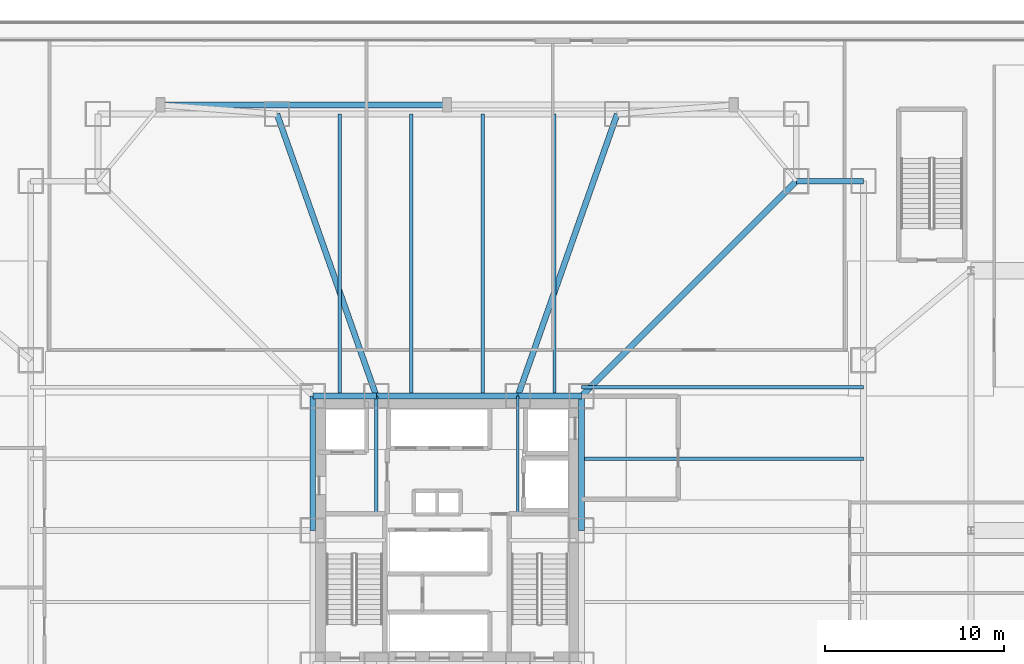
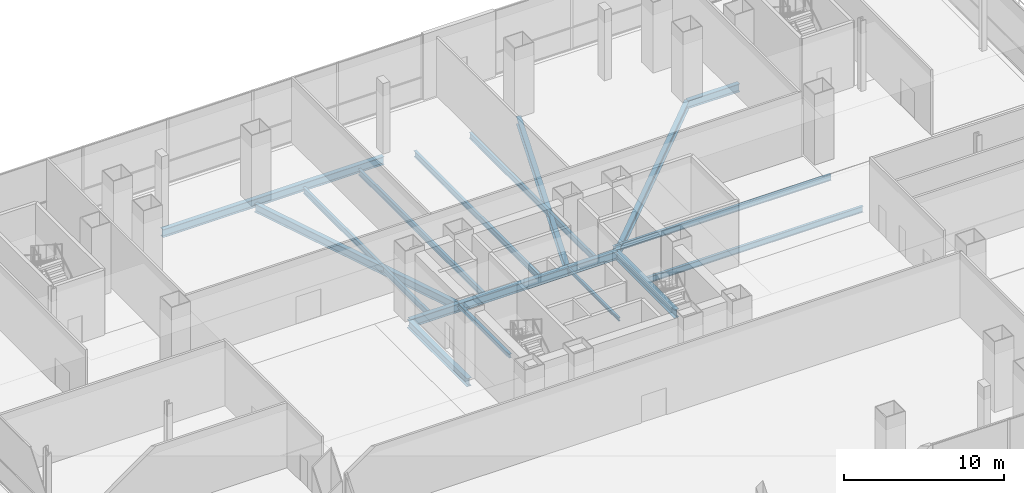
# One storey, part 14 of 36: 18 beams.
"""IFC4 building model written with IfcOpenShell, lengths in metres."""

from ifc_helpers import new_model, si_unit, direction, frame, origin, origin_2d, place, context, subcontext, project, spatial, i_section, extrude, material, material_profile, profile_set, type_object, element, save


model = new_model("IFC4")

# Units and contexts
model_context = context("Model", 3, precision=1e-05, world=origin(), true_north=direction((0.0, 1.0)))
body_context = subcontext(model_context, "Body", "Model", "MODEL_VIEW")
ifc_project = project(units=[si_unit("LENGTHUNIT", "METRE"), si_unit("AREAUNIT", "SQUARE_METRE"), si_unit("VOLUMEUNIT", "CUBIC_METRE"), si_unit("PLANEANGLEUNIT", "RADIAN"), si_unit("MASSUNIT", "GRAM", prefix="KILO")], contexts=[model_context])

# Site, building, storey
site_placement = place(None, origin())
site = spatial("IfcSite", under=ifc_project, at=site_placement, CompositionType="ELEMENT")
building_placement = place(site_placement, origin())
building = spatial("IfcBuilding", under=site, at=building_placement, Name="Trevonay Congress Spire", CompositionType="ELEMENT")
storey_placement = place(building_placement, frame((0.0, 0.0, 5.39990234375)))
storey = spatial("IfcBuildingStorey", under=building, at=storey_placement, Name="L01", CompositionType="ELEMENT", Elevation=5.39990234375)

# Beams
ifc_material = material(Name="Steel ASTM A572 Grade 50", Category="steel")
ifc_material_profile_1 = material_profile(ifc_material, i_section(OverallWidth=0.324951171875, OverallDepth=0.615966796875, WebThickness=0.013916015625, FlangeThickness=0.021484375, FilletRadius=0.01806640625, at=origin_2d()), Name="W610x174")
ifc_profile_set_1 = profile_set([ifc_material_profile_1], Name="Steel ASTM A572 Grade 50")
beam_type_1 = type_object("IfcBeamType", Name="BM-GIRD-W610X174", PredefinedType="BEAM", material=ifc_profile_set_1)
beam_1_placement = place(storey_placement, frame((23.25, 19.5, -0.7080078125), z_axis=(-1.0, 0.0, 0.0), x_axis=(0.0, -1.0, 0.0)))
element("IfcBeam", 1, at=beam_1_placement, inside=storey, type_object=beam_type_1, Name="L01 structural beam BM-L01-CEN", PredefinedType="BEAM", context=body_context, shape_type="SweptSolid", body=[
    extrude(i_section(OverallWidth=0.324951171875, OverallDepth=0.615966796875, WebThickness=0.013916015625, FlangeThickness=0.021484375, FilletRadius=0.01806640625, at=origin_2d()), origin(), (0.0, 0.0, 1.0), 3.75),
])
beam_2_placement = place(storey_placement, frame((7.5, 7.5, -0.7080078125), z_axis=(0.707106781187, 0.707106781187, 0.0), x_axis=(-0.707106781187, 0.707106781187, 0.0)))
element("IfcBeam", 2, at=beam_2_placement, inside=storey, type_object=beam_type_1, Name="L01 structural beam BM-L01-RAD-NE", PredefinedType="BEAM", context=body_context, shape_type="SweptSolid", body=[
    extrude(i_section(OverallWidth=0.324951171875, OverallDepth=0.615966796875, WebThickness=0.013916015625, FlangeThickness=0.021484375, FilletRadius=0.01806640625, at=origin_2d()), origin(), (0.0, 0.0, 1.0), 16.970458984375),
])
for number, where, z_axis, x_axis, name in (
    (3, (-3.949951171875, 7.5, -0.7080078125), (-0.332352826786, 0.943155129619, 0.0), (-0.943155129619, -0.332352826786, 0.0), "L01 structural beam BM-L01-RAD-N1"),
    (4, (3.949951171875, 7.5, -0.7080078125), (0.332352826786, 0.943155129619, 0.0), (-0.943155129619, 0.332352826786, 0.0), "L01 structural beam BM-L01-RAD-N2"),
):
    element("IfcBeam", number, at=place(storey_placement, frame(where, z_axis=z_axis, x_axis=x_axis)), inside=storey, type_object=beam_type_1, Name=name, PredefinedType="BEAM", context=body_context, shape_type="SweptSolid", body=[
        extrude(i_section(OverallWidth=0.324951171875, OverallDepth=0.615966796875, WebThickness=0.013916015625, FlangeThickness=0.021484375, FilletRadius=0.01806640625, at=origin_2d()), origin(), (0.0, 0.0, 1.0), 16.69921875),
    ])
beam_3_placement = place(storey_placement, frame((-16.0, 23.75, -0.7080078125), z_axis=(1.0, 0.0, 0.0), x_axis=(0.0, 1.0, 0.0)))
element("IfcBeam", 5, at=beam_3_placement, inside=storey, type_object=beam_type_1, Name="L01 structural beam BM-L01-PIL-N1", PredefinedType="BEAM", context=body_context, shape_type="SweptSolid", body=[
    extrude(i_section(OverallWidth=0.324951171875, OverallDepth=0.615966796875, WebThickness=0.013916015625, FlangeThickness=0.021484375, FilletRadius=0.01806640625, at=origin_2d()), origin(), (0.0, 0.0, 1.0), 16.0),
])
ifc_material_profile_2 = material_profile(ifc_material, i_section(OverallWidth=0.3291015625, OverallDepth=0.635009765625, WebThickness=0.017822265625, FlangeThickness=0.031005859375, FilletRadius=0.01806640625, at=origin_2d()), Name="W610x241")
ifc_profile_set_2 = profile_set([ifc_material_profile_2], Name="Steel ASTM A572 Grade 50")
beam_type_2 = type_object("IfcBeamType", Name="BM-GIRD-W610X241", PredefinedType="BEAM", material=ifc_profile_set_2)
beam_4_placement = place(storey_placement, frame((-7.5, 7.5, -0.71728515625), z_axis=(1.0, 0.0, 0.0), x_axis=(0.0, 1.0, 0.0)))
element("IfcBeam", 6, at=beam_4_placement, inside=storey, type_object=beam_type_2, Name="L01 structural beam BM-L01-CR-N1", PredefinedType="BEAM", context=body_context, shape_type="SweptSolid", body=[
    extrude(i_section(OverallWidth=0.3291015625, OverallDepth=0.635009765625, WebThickness=0.017822265625, FlangeThickness=0.031005859375, FilletRadius=0.01806640625, at=origin_2d()), origin(), (0.0, 0.0, 1.0), 3.550048828125),
])
beam_5_placement = place(storey_placement, frame((-3.949951171875, 7.5, -0.71728515625), z_axis=(1.0, 0.0, 0.0), x_axis=(0.0, 1.0, 0.0)))
element("IfcBeam", 7, at=beam_5_placement, inside=storey, type_object=beam_type_2, Name="L01 structural beam BM-L01-CR-N2", PredefinedType="BEAM", context=body_context, shape_type="SweptSolid", body=[
    extrude(i_section(OverallWidth=0.3291015625, OverallDepth=0.635009765625, WebThickness=0.017822265625, FlangeThickness=0.031005859375, FilletRadius=0.01806640625, at=origin_2d()), origin(), (0.0, 0.0, 1.0), 7.89990234375),
])
beam_6_placement = place(storey_placement, frame((3.949951171875, 7.5, -0.71728515625), z_axis=(1.0, 0.0, 0.0), x_axis=(0.0, 1.0, 0.0)))
element("IfcBeam", 8, at=beam_6_placement, inside=storey, type_object=beam_type_2, Name="L01 structural beam BM-L01-CR-N3", PredefinedType="BEAM", context=body_context, shape_type="SweptSolid", body=[
    extrude(i_section(OverallWidth=0.3291015625, OverallDepth=0.635009765625, WebThickness=0.017822265625, FlangeThickness=0.031005859375, FilletRadius=0.01806640625, at=origin_2d()), origin(), (0.0, 0.0, 1.0), 3.550048828125),
])
for number, where, z_axis, x_axis, name in (
    (9, (-7.5, 0.0, -0.71728515625), (0.0, 1.0, 0.0), (-1.0, 0.0, 0.0), "L01 structural beam BM-L01-CR-W2"),
    (10, (7.5, 0.0, -0.71728515625), (0.0, 1.0, 0.0), (-1.0, 0.0, 0.0), "L01 structural beam BM-L01-CR-E2"),
):
    element("IfcBeam", number, at=place(storey_placement, frame(where, z_axis=z_axis, x_axis=x_axis)), inside=storey, type_object=beam_type_2, Name=name, PredefinedType="BEAM", context=body_context, shape_type="SweptSolid", body=[
        extrude(i_section(OverallWidth=0.3291015625, OverallDepth=0.635009765625, WebThickness=0.017822265625, FlangeThickness=0.031005859375, FilletRadius=0.01806640625, at=origin_2d()), origin(), (0.0, 0.0, 1.0), 7.5),
    ])
ifc_material_profile_3 = material_profile(ifc_material, i_section(OverallWidth=0.18994140625, OverallDepth=0.45703125, WebThickness=0.009033203125, FlangeThickness=0.014404296875, FilletRadius=0.013916015625, at=origin_2d()), Name="W460x74")
ifc_profile_set_3 = profile_set([ifc_material_profile_3], Name="Steel ASTM A572 Grade 50")
beam_type_3 = type_object("IfcBeamType", Name="JS-COMP-W460X74", PredefinedType="JOIST", material=ifc_profile_set_3)
for number, where, z_axis, x_axis, name in (
    (11, (7.5, 4.0, -0.62841796875), (1.0, 0.0, 0.0), (0.0, 1.0, 0.0), "L01 structural beam JS-L01-EH3"),
    (12, (7.5, 8.0, -0.62841796875), (1.0, 0.0, 0.0), (0.0, 1.0, 0.0), "L01 structural beam JS-L01-EH4"),
    (13, (-6.0, 7.5, -0.62841796875), (0.0, 1.0, 0.0), (-1.0, 0.0, 0.0), "L01 structural beam JS-L01-NH1"),
    (14, (-2.0, 7.5, -0.62841796875), (0.0, 1.0, 0.0), (-1.0, 0.0, 0.0), "L01 structural beam JS-L01-NH2"),
    (15, (2.0, 7.5, -0.62841796875), (0.0, 1.0, 0.0), (-1.0, 0.0, 0.0), "L01 structural beam JS-L01-NH3"),
    (16, (6.0, 7.5, -0.62841796875), (0.0, 1.0, 0.0), (-1.0, 0.0, 0.0), "L01 structural beam JS-L01-NH4"),
):
    element("IfcBeam", number, at=place(storey_placement, frame(where, z_axis=z_axis, x_axis=x_axis)), inside=storey, type_object=beam_type_3, Name=name, PredefinedType="JOIST", context=body_context, shape_type="SweptSolid", body=[
        extrude(i_section(OverallWidth=0.18994140625, OverallDepth=0.45703125, WebThickness=0.009033203125, FlangeThickness=0.014404296875, FilletRadius=0.013916015625, at=origin_2d()), origin(), (0.0, 0.0, 1.0), 15.75),
    ])
ifc_material_profile_4 = material_profile(ifc_material, i_section(OverallWidth=0.2041015625, OverallDepth=0.305908203125, WebThickness=0.008544921875, FlangeThickness=0.0146484375, FilletRadius=0.010986328125, at=origin_2d()), Name="W310x67")
ifc_profile_set_4 = profile_set([ifc_material_profile_4], Name="Steel ASTM A572 Grade 50")
beam_type_4 = type_object("IfcBeamType", Name="LN-CORE-W310X67", PredefinedType="LINTEL", material=ifc_profile_set_4)
beam_7_placement = place(storey_placement, frame((-3.949951171875, 1.0, -0.552978515625), z_axis=(0.0, 1.0, 0.0), x_axis=(-1.0, 0.0, 0.0)))
element("IfcBeam", 17, at=beam_7_placement, inside=storey, type_object=beam_type_4, Name="L01 structural beam LIN-L01-W", PredefinedType="LINTEL", context=body_context, shape_type="SweptSolid", body=[
    extrude(i_section(OverallWidth=0.2041015625, OverallDepth=0.305908203125, WebThickness=0.008544921875, FlangeThickness=0.0146484375, FilletRadius=0.010986328125, at=origin_2d()), origin(), (0.0, 0.0, 1.0), 6.5),
])
ifc_material_profile_5 = material_profile(ifc_material, i_section(OverallWidth=0.14794921875, OverallDepth=0.26611328125, WebThickness=0.007568359375, FlangeThickness=0.012939453125, FilletRadius=0.010009765625, at=origin_2d()), Name="W250x44.8")
ifc_profile_set_5 = profile_set([ifc_material_profile_5], Name="Steel ASTM A572 Grade 50")
beam_type_5 = type_object("IfcBeamType", Name="LN-DOOR-W250X45", PredefinedType="LINTEL", material=ifc_profile_set_5)
beam_8_placement = place(storey_placement, frame((3.949951171875, 1.0, -0.532958984375), z_axis=(0.0, 1.0, 0.0), x_axis=(-1.0, 0.0, 0.0)))
element("IfcBeam", 18, at=beam_8_placement, inside=storey, type_object=beam_type_5, Name="L01 structural beam LIN-L01-E", PredefinedType="LINTEL", context=body_context, shape_type="SweptSolid", body=[
    extrude(i_section(OverallWidth=0.14794921875, OverallDepth=0.26611328125, WebThickness=0.007568359375, FlangeThickness=0.012939453125, FilletRadius=0.010009765625, at=origin_2d()), origin(), (0.0, 0.0, 1.0), 6.5),
])

save(model, "model.ifc")
